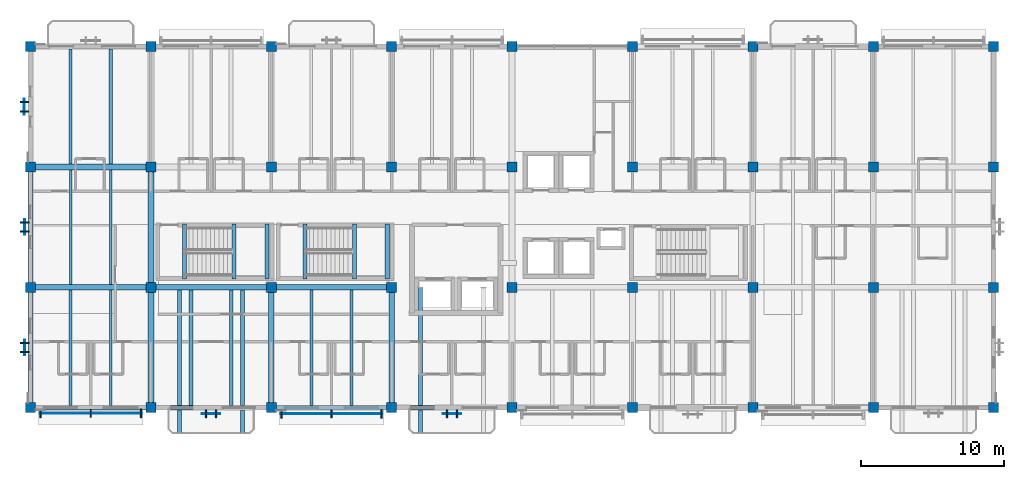
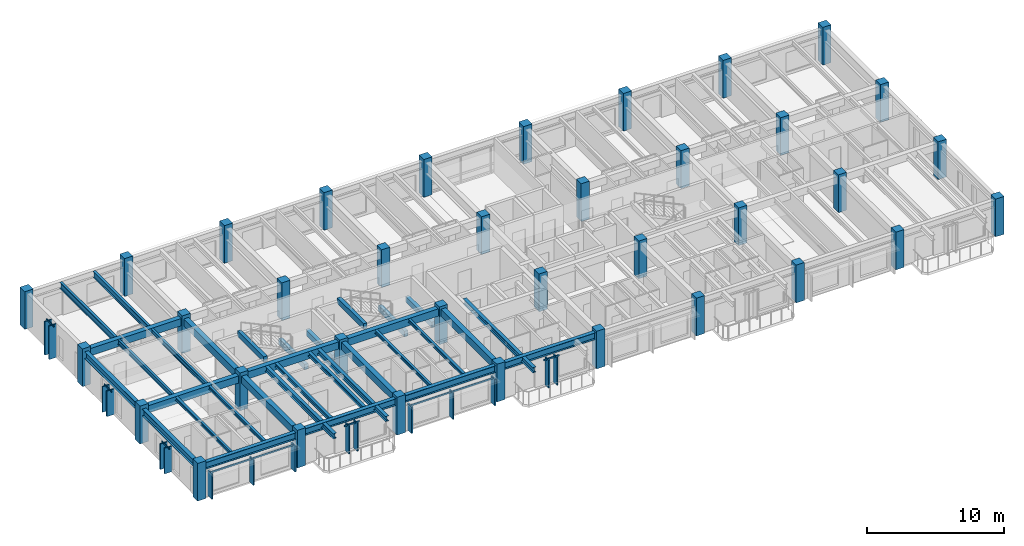
# One storey, part 1 of 18: 36 columns, 33 beams, 23 members, 7 elements without a shape of their own.
"""IFC4 building model written with IfcOpenShell, lengths in metres."""

from ifc_helpers import new_model, si_unit, direction, frame, origin, origin_2d, place, context, subcontext, project, spatial, rectangle, i_section, extrude, material, material_profile, profile_set, type_object, element, aggregate, save


model = new_model("IFC4")

# Units and contexts
model_context = context("Model", 3, precision=1e-05, world=origin(), true_north=direction((0.0, 1.0)))
body_context = subcontext(model_context, "Body", "Model", "MODEL_VIEW")
ifc_project = project(units=[si_unit("LENGTHUNIT", "METRE"), si_unit("AREAUNIT", "SQUARE_METRE"), si_unit("VOLUMEUNIT", "CUBIC_METRE"), si_unit("PLANEANGLEUNIT", "RADIAN"), si_unit("MASSUNIT", "GRAM", prefix="KILO")], contexts=[model_context])

# Site, building, storey
site_placement = place(None, origin())
site = spatial("IfcSite", under=ifc_project, at=site_placement, CompositionType="ELEMENT")
building_placement = place(site_placement, origin())
building = spatial("IfcBuilding", under=site, at=building_placement, Name="Cumbredor Promenade Congress Hotel", CompositionType="ELEMENT")
storey_placement = place(building_placement, frame((0.0, 0.0, 25.199951171875)))
storey = spatial("IfcBuildingStorey", under=building, at=storey_placement, Name="L07", CompositionType="ELEMENT", Elevation=25.199951171875)

# Columns
ifc_material_1 = material(Name="Concrete C40/50", Category="concrete")
ifc_material_profile_1 = material_profile(ifc_material_1, rectangle(XDim=0.699951171875, YDim=0.699951171875, at=origin_2d()), Name="RC 700x700")
ifc_profile_set_1 = profile_set([ifc_material_profile_1], Name="Concrete C40/50")
column_type = type_object("IfcColumnType", Name="COL-RC-700", PredefinedType="COLUMN", material=ifc_profile_set_1)
for number, where, z_axis, x_axis, name in (
    (1, (0.0, 92.39990234375, 0.0), (0.0, 0.0, 1.0), (1.0, 0.0, 0.0), "L07 Structural Column 001"),
    (2, (0.0, 100.800048828125, 0.0), (0.0, 0.0, 1.0), (1.0, 0.0, 0.0), "L07 Structural Column 002"),
    (3, (0.0, 109.199951171875, 0.0), (0.0, 0.0, 1.0), (1.0, 0.0, 0.0), "L07 Structural Column 003"),
    (4, (0.0, 117.60009765625, 0.0), (0.0, 0.0, 1.0), (1.0, 0.0, 0.0), "L07 Structural Column 004"),
    (5, (8.39990234375, 92.39990234375, 0.0), (0.0, 0.0, 1.0), (1.0, 0.0, 0.0), "L07 Structural Column 005"),
    (6, (8.39990234375, 100.800048828125, 0.0), (0.0, 0.0, 1.0), (1.0, 0.0, 0.0), "L07 Structural Column 006"),
    (7, (8.39990234375, 109.199951171875, 0.0), (0.0, 0.0, 1.0), (1.0, 0.0, 0.0), "L07 Structural Column 007"),
    (8, (8.39990234375, 117.60009765625, 0.0), (0.0, 0.0, 1.0), (1.0, 0.0, 0.0), "L07 Structural Column 008"),
    (9, (16.800048828125, 92.39990234375, 0.0), (0.0, 0.0, 1.0), (1.0, 0.0, 0.0), "L07 Structural Column 009"),
    (10, (16.800048828125, 100.800048828125, 0.0), (0.0, 0.0, 1.0), (1.0, 0.0, 0.0), "L07 Structural Column 010"),
    (11, (16.800048828125, 109.199951171875, 0.0), (0.0, 0.0, 1.0), (1.0, 0.0, 0.0), "L07 Structural Column 011"),
    (12, (16.800048828125, 117.60009765625, 0.0), (0.0, 0.0, 1.0), (1.0, 0.0, 0.0), "L07 Structural Column 012"),
    (13, (25.199951171875, 92.39990234375, 0.0), (0.0, 0.0, 1.0), (1.0, 0.0, 0.0), "L07 Structural Column 013"),
    (14, (25.199951171875, 100.800048828125, 0.0), (0.0, 0.0, 1.0), (1.0, 0.0, 0.0), "L07 Structural Column 014"),
    (15, (25.199951171875, 109.199951171875, 0.0), (0.0, 0.0, 1.0), (1.0, 0.0, 0.0), "L07 Structural Column 015"),
    (16, (25.199951171875, 117.60009765625, 0.0), (0.0, 0.0, 1.0), (1.0, 0.0, 0.0), "L07 Structural Column 016"),
    (17, (33.60009765625, 92.39990234375, 0.0), (0.0, 0.0, 1.0), (1.0, 0.0, 0.0), "L07 Structural Column 017"),
    (18, (33.60009765625, 100.800048828125, 0.0), (0.0, 0.0, 1.0), (1.0, 0.0, 0.0), "L07 Structural Column 018"),
    (19, (33.60009765625, 109.199951171875, 0.0), (0.0, 0.0, 1.0), (1.0, 0.0, 0.0), "L07 Structural Column 019"),
    (20, (33.60009765625, 117.60009765625, 0.0), (0.0, 0.0, 1.0), (1.0, 0.0, 0.0), "L07 Structural Column 020"),
    (21, (42.0, 92.39990234375, 0.0), (0.0, 0.0, 1.0), (1.0, 0.0, 0.0), "L07 Structural Column 021"),
    (22, (42.0, 100.800048828125, 0.0), (0.0, 0.0, 1.0), (1.0, 0.0, 0.0), "L07 Structural Column 022"),
    (23, (42.0, 109.199951171875, 0.0), (0.0, 0.0, 1.0), (1.0, 0.0, 0.0), "L07 Structural Column 023"),
    (24, (42.0, 117.60009765625, 0.0), (0.0, 0.0, 1.0), (1.0, 0.0, 0.0), "L07 Structural Column 024"),
    (25, (50.39990234375, 92.39990234375, 0.0), (0.0, 0.0, 1.0), (1.0, 0.0, 0.0), "L07 Structural Column 025"),
    (26, (50.39990234375, 100.800048828125, 0.0), (0.0, 0.0, 1.0), (1.0, 0.0, 0.0), "L07 Structural Column 026"),
    (27, (50.39990234375, 109.199951171875, 0.0), (0.0, 0.0, 1.0), (1.0, 0.0, 0.0), "L07 Structural Column 027"),
    (28, (50.39990234375, 117.60009765625, 0.0), (0.0, 0.0, 1.0), (1.0, 0.0, 0.0), "L07 Structural Column 028"),
    (29, (58.800048828125, 92.39990234375, 0.0), (0.0, 0.0, 1.0), (1.0, 0.0, 0.0), "L07 Structural Column 029"),
    (30, (58.800048828125, 100.800048828125, 0.0), (0.0, 0.0, 1.0), (1.0, 0.0, 0.0), "L07 Structural Column 030"),
    (31, (58.800048828125, 109.199951171875, 0.0), (0.0, 0.0, 1.0), (1.0, 0.0, 0.0), "L07 Structural Column 031"),
    (32, (58.800048828125, 117.60009765625, 0.0), (0.0, 0.0, 1.0), (1.0, 0.0, 0.0), "L07 Structural Column 032"),
    (33, (67.199951171875, 92.39990234375, 0.0), (0.0, 0.0, 1.0), (1.0, 0.0, 0.0), "L07 Structural Column 033"),
    (34, (67.199951171875, 100.800048828125, 0.0), (0.0, 0.0, 1.0), (1.0, 0.0, 0.0), "L07 Structural Column 034"),
    (35, (67.199951171875, 109.199951171875, 0.0), (0.0, 0.0, 1.0), (1.0, 0.0, 0.0), "L07 Structural Column 035"),
    (36, (67.199951171875, 117.60009765625, 0.0), (0.0, 0.0, 1.0), (1.0, 0.0, 0.0), "L07 Structural Column 036"),
):
    element("IfcColumn", number, at=place(storey_placement, frame(where, z_axis=z_axis, x_axis=x_axis)), inside=storey, type_object=column_type, Name=name, PredefinedType="COLUMN", context=body_context, shape_type="SweptSolid", body=[
        extrude(rectangle(XDim=0.699951171875, YDim=0.699951171875, at=origin_2d()), origin(), (0.0, 0.0, 1.0), 3.360107421875),
    ])

# Beams
ifc_material_profile_2 = material_profile(ifc_material_1, rectangle(XDim=0.39990234375, YDim=0.64990234375, at=origin_2d()), Name="RC BEAM 400x650")
ifc_profile_set_2 = profile_set([ifc_material_profile_2], Name="Concrete C40/50")
beam_type_1 = type_object("IfcBeamType", Name="BM-RC-400x650", PredefinedType="BEAM", material=ifc_profile_set_2)
for number, where, z_axis, x_axis, name in (
    (37, (0.35009765625, 100.800048828125, 2.715087890625), (1.0, 0.0, 0.0), (0.0, 1.0, 0.0), "L08 X-Grid Beam 003"),
    (38, (0.35009765625, 109.199951171875, 2.715087890625), (1.0, 0.0, 0.0), (0.0, 1.0, 0.0), "L08 X-Grid Beam 005"),
    (39, (8.39990234375, 92.75, 2.715087890625), (0.0, 1.0, 0.0), (-1.0, 0.0, 0.0), "L08 Y-Grid Beam 008"),
    (40, (8.75, 100.800048828125, 2.795166015625), (1.0, 0.0, 0.0), (0.0, 1.0, 0.0), "L08 X-Grid Beam 009"),
):
    element("IfcBeam", number, at=place(storey_placement, frame(where, z_axis=z_axis, x_axis=x_axis)), inside=storey, type_object=beam_type_1, Name=name, PredefinedType="BEAM", context=body_context, shape_type="SweptSolid", body=[
        extrude(rectangle(XDim=0.39990234375, YDim=0.64990234375, at=origin_2d()), origin(), (0.0, 0.0, 1.0), 7.699951171875),
    ])
beam_1_placement = place(storey_placement, frame((8.39990234375, 101.14990234375, 2.715087890625), z_axis=(0.0, 1.0, 0.0), x_axis=(-1.0, 0.0, 0.0)))
element("IfcBeam", 41, at=beam_1_placement, inside=storey, type_object=beam_type_1, Name="L08 Y-Grid Beam 010", PredefinedType="BEAM", context=body_context, shape_type="SweptSolid", body=[
    extrude(rectangle(XDim=0.39990234375, YDim=0.64990234375, at=origin_2d()), origin(), (0.0, 0.0, 1.0), 7.7001953125),
])
beam_2_placement = place(storey_placement, frame((16.800048828125, 92.75, 2.795166015625), z_axis=(0.0, 1.0, 0.0), x_axis=(-1.0, 0.0, 0.0)))
element("IfcBeam", 42, at=beam_2_placement, inside=storey, type_object=beam_type_1, Name="L08 Y-Grid Beam 014", PredefinedType="BEAM", context=body_context, shape_type="SweptSolid", body=[
    extrude(rectangle(XDim=0.39990234375, YDim=0.64990234375, at=origin_2d()), origin(), (0.0, 0.0, 1.0), 7.699951171875),
])
beam_3_placement = place(storey_placement, frame((17.14990234375, 100.800048828125, 2.795166015625), z_axis=(1.0, 0.0, 0.0), x_axis=(0.0, 1.0, 0.0)))
element("IfcBeam", 43, at=beam_3_placement, inside=storey, type_object=beam_type_1, Name="L08 X-Grid Beam 015", PredefinedType="BEAM", context=body_context, shape_type="SweptSolid", body=[
    extrude(rectangle(XDim=0.39990234375, YDim=0.64990234375, at=origin_2d()), origin(), (0.0, 0.0, 1.0), 7.7001953125),
])
beam_4_placement = place(storey_placement, frame((25.199951171875, 92.75, 2.795166015625), z_axis=(0.0, 1.0, 0.0), x_axis=(-1.0, 0.0, 0.0)))
element("IfcBeam", 44, at=beam_4_placement, inside=storey, type_object=beam_type_1, Name="L08 Y-Grid Beam 019", PredefinedType="BEAM", context=body_context, shape_type="SweptSolid", body=[
    extrude(rectangle(XDim=0.39990234375, YDim=0.64990234375, at=origin_2d()), origin(), (0.0, 0.0, 1.0), 7.699951171875),
])
ifc_material_2 = material(Name="Steel ASTM A992 Grade 50", Category="steel")
ifc_material_profile_3 = material_profile(ifc_material_2, i_section(OverallWidth=0.323974609375, OverallDepth=0.611083984375, WebThickness=0.0126953125, FlangeThickness=0.01904296875, at=origin_2d()), Name="W24X104")
ifc_profile_set_3 = profile_set([ifc_material_profile_3], Name="Steel ASTM A992 Grade 50")
beam_type_2 = type_object("IfcBeamType", Name="BM-W24X104", PredefinedType="BEAM", material=ifc_profile_set_3)
for number, where, z_axis, x_axis, name in (
    (45, (0.35009765625, 92.39990234375, 2.734619140625), (1.0, 0.0, 0.0), (0.0, 1.0, 0.0), "L08 X-Grid Beam 001"),
    (46, (8.75, 92.39990234375, 2.814453125), (1.0, 0.0, 0.0), (0.0, 1.0, 0.0), "L08 X-Grid Beam 007"),
):
    element("IfcBeam", number, at=place(storey_placement, frame(where, z_axis=z_axis, x_axis=x_axis)), inside=storey, type_object=beam_type_2, Name=name, PredefinedType="BEAM", context=body_context, shape_type="SweptSolid", body=[
        extrude(i_section(OverallWidth=0.323974609375, OverallDepth=0.611083984375, WebThickness=0.0126953125, FlangeThickness=0.01904296875, at=origin_2d()), origin(), (0.0, 0.0, 1.0), 7.699951171875),
    ])
beam_5_placement = place(storey_placement, frame((17.14990234375, 92.39990234375, 2.814453125), z_axis=(1.0, 0.0, 0.0), x_axis=(0.0, 1.0, 0.0)))
element("IfcBeam", 47, at=beam_5_placement, inside=storey, type_object=beam_type_2, Name="L08 X-Grid Beam 013", PredefinedType="BEAM", context=body_context, shape_type="SweptSolid", body=[
    extrude(i_section(OverallWidth=0.323974609375, OverallDepth=0.611083984375, WebThickness=0.0126953125, FlangeThickness=0.01904296875, at=origin_2d()), origin(), (0.0, 0.0, 1.0), 7.7001953125),
])
beam_6_placement = place(storey_placement, frame((25.550048828125, 92.39990234375, 2.814453125), z_axis=(1.0, 0.0, 0.0), x_axis=(0.0, 1.0, 0.0)))
element("IfcBeam", 48, at=beam_6_placement, inside=storey, type_object=beam_type_2, Name="L08 X-Grid Beam 018", PredefinedType="BEAM", context=body_context, shape_type="SweptSolid", body=[
    extrude(i_section(OverallWidth=0.323974609375, OverallDepth=0.611083984375, WebThickness=0.0126953125, FlangeThickness=0.01904296875, at=origin_2d()), origin(), (0.0, 0.0, 1.0), 7.699951171875),
])

# Curtain wall, member
ifc_material_3 = material(Name="Thermally broken anodized aluminium and low-E glass", Category="aluminium")
curtain_wall_type = type_object("IfcCurtainWallType", Name="Solar Brise-Soleil Screen Assembly CW-07", PredefinedType="NOTDEFINED", material=ifc_material_3)
curtain_wall_1_placement = place(storey_placement, origin())
curtain_wall_1 = element("IfcCurtainWall", 49, at=curtain_wall_1_placement, inside=storey, type_object=curtain_wall_type, Name="L07 Hospitality Brise-Soleil Screen 095", PredefinedType="NOTDEFINED")
ifc_material_4 = material(Name="Thermally broken anodized aluminium", Category="aluminium")
ifc_material_profile_4 = material_profile(ifc_material_4, rectangle(XDim=0.06494140625, YDim=0.1298828125, at=origin_2d()), Name="ALU TRANSOM 65x130")
ifc_profile_set_4 = profile_set([ifc_material_profile_4], Name="Thermally broken anodized aluminium")
member_type_1 = type_object("IfcMemberType", Name="Curtain Wall Transom TR-01", PredefinedType="USERDEFINED", material=ifc_profile_set_4)
member_1_placement = place(storey_placement, frame((0.65087890625, 92.0, 2.234130859375), z_axis=(1.0, 0.0, 0.0), x_axis=(0.0, 1.0, 0.0)))
member_1 = element("IfcMember", 50, at=member_1_placement, type_object=member_type_1, Name="L07 Brise-Soleil Screen Transom 095", ObjectType="TRANSOM", PredefinedType="USERDEFINED", context=body_context, shape_type="SweptSolid", body=[
    extrude(rectangle(XDim=0.06494140625, YDim=0.1298828125, at=origin_2d()), origin(), (0.0, 0.0, 1.0), 7.09814453125),
])

curtain_wall_2_placement = place(storey_placement, origin())
curtain_wall_2 = element("IfcCurtainWall", 51, at=curtain_wall_2_placement, inside=storey, type_object=curtain_wall_type, Name="L07 Veranda Solar Brise-Soleil Screen 985", PredefinedType="NOTDEFINED")
member_2_placement = place(storey_placement, frame((11.949951171875, 91.989990234375, 2.4140625), z_axis=(1.0, 0.0, 0.0), x_axis=(0.0, 1.0, 0.0)))
member_2 = element("IfcMember", 52, at=member_2_placement, type_object=member_type_1, Name="L07 Brise-Soleil Header Tie 0987", ObjectType="TRANSOM", PredefinedType="USERDEFINED", context=body_context, shape_type="SweptSolid", body=[
    extrude(rectangle(XDim=0.06494140625, YDim=0.1298828125, at=origin_2d()), origin(), (0.0, 0.0, 1.0), 1.300048828125),
])

curtain_wall_3_placement = place(storey_placement, origin())
curtain_wall_3 = element("IfcCurtainWall", 53, at=curtain_wall_3_placement, inside=storey, type_object=curtain_wall_type, Name="L07 Hospitality Brise-Soleil Screen 096", PredefinedType="NOTDEFINED")
member_3_placement = place(storey_placement, frame((17.450927734375, 91.9775390625, 2.31396484375), z_axis=(1.0, 0.0, 0.0), x_axis=(0.0, 1.0, 0.0)))
member_3 = element("IfcMember", 54, at=member_3_placement, type_object=member_type_1, Name="L07 Brise-Soleil Screen Transom 096", ObjectType="TRANSOM", PredefinedType="USERDEFINED", context=body_context, shape_type="SweptSolid", body=[
    extrude(rectangle(XDim=0.06494140625, YDim=0.1298828125, at=origin_2d()), origin(), (0.0, 0.0, 1.0), 7.09814453125),
])

curtain_wall_4_placement = place(storey_placement, origin())
curtain_wall_4 = element("IfcCurtainWall", 55, at=curtain_wall_4_placement, inside=storey, type_object=curtain_wall_type, Name="L07 Veranda Solar Brise-Soleil Screen 991", PredefinedType="NOTDEFINED")
member_4_placement = place(storey_placement, frame((28.75, 91.965087890625, 2.4140625), z_axis=(1.0, 0.0, 0.0), x_axis=(0.0, 1.0, 0.0)))
member_4 = element("IfcMember", 56, at=member_4_placement, type_object=member_type_1, Name="L07 Brise-Soleil Header Tie 0993", ObjectType="TRANSOM", PredefinedType="USERDEFINED", context=body_context, shape_type="SweptSolid", body=[
    extrude(rectangle(XDim=0.06494140625, YDim=0.1298828125, at=origin_2d()), origin(), (0.0, 0.0, 1.0), 1.300048828125),
])

curtain_wall_5_placement = place(storey_placement, origin())
curtain_wall_5 = element("IfcCurtainWall", 57, at=curtain_wall_5_placement, inside=storey, type_object=curtain_wall_type, Name="L07 Pier Brise-Soleil Screen 1027", PredefinedType="NOTDEFINED")
member_5_placement = place(storey_placement, frame((-0.39990234375, 96.050048828125, 2.254150390625), z_axis=(0.0, 1.0, 0.0), x_axis=(-1.0, 0.0, 0.0)))
member_5 = element("IfcMember", 58, at=member_5_placement, type_object=member_type_1, Name="L07 Pier Brise-Soleil Header 1029", ObjectType="TRANSOM", PredefinedType="USERDEFINED", context=body_context, shape_type="SweptSolid", body=[
    extrude(rectangle(XDim=0.06494140625, YDim=0.1298828125, at=origin_2d()), origin(), (0.0, 0.0, 1.0), 1.099853515625),
])

curtain_wall_6_placement = place(storey_placement, origin())
curtain_wall_6 = element("IfcCurtainWall", 59, at=curtain_wall_6_placement, inside=storey, type_object=curtain_wall_type, Name="L07 Pier Brise-Soleil Screen 1030", PredefinedType="NOTDEFINED")
member_6_placement = place(storey_placement, frame((-0.409912109375, 104.449951171875, 2.254150390625), z_axis=(0.0, 1.0, 0.0), x_axis=(-1.0, 0.0, 0.0)))
member_6 = element("IfcMember", 60, at=member_6_placement, type_object=member_type_1, Name="L07 Pier Brise-Soleil Header 1032", ObjectType="TRANSOM", PredefinedType="USERDEFINED", context=body_context, shape_type="SweptSolid", body=[
    extrude(rectangle(XDim=0.06494140625, YDim=0.1298828125, at=origin_2d()), origin(), (0.0, 0.0, 1.0), 1.10009765625),
])

curtain_wall_7_placement = place(storey_placement, origin())
curtain_wall_7 = element("IfcCurtainWall", 61, at=curtain_wall_7_placement, inside=storey, type_object=curtain_wall_type, Name="L07 Pier Brise-Soleil Screen 1033", PredefinedType="NOTDEFINED")
member_7_placement = place(storey_placement, frame((-0.422607421875, 112.85009765625, 2.9599609375), z_axis=(0.0, 1.0, 0.0), x_axis=(-1.0, 0.0, 0.0)))
member_7 = element("IfcMember", 62, at=member_7_placement, type_object=member_type_1, Name="L07 Pier Brise-Soleil Header 1035", ObjectType="TRANSOM", PredefinedType="USERDEFINED", context=body_context, shape_type="SweptSolid", body=[
    extrude(rectangle(XDim=0.06494140625, YDim=0.1298828125, at=origin_2d()), origin(), (0.0, 0.0, 1.0), 1.099853515625),
])

# Beams
ifc_material_profile_5 = material_profile(ifc_material_2, i_section(OverallWidth=0.202880859375, OverallDepth=0.302978515625, WebThickness=0.007568359375, FlangeThickness=0.01318359375, at=origin_2d()), Name="W12X40")
ifc_profile_set_5 = profile_set([ifc_material_profile_5], Name="Steel ASTM A992 Grade 50")
beam_type_3 = type_object("IfcBeamType", Name="JST-W12X40", PredefinedType="JOIST", material=ifc_profile_set_5)
for number, where, z_axis, x_axis, name in (
    (63, (2.800048828125, 92.56201171875, 2.888427734375), (0.0, 1.0, 0.0), (-1.0, 0.0, 0.0), "L08 Secondary Floor Joist 0001"),
    (64, (5.60009765625, 92.56201171875, 2.888427734375), (0.0, 1.0, 0.0), (-1.0, 0.0, 0.0), "L08 Secondary Floor Joist 0002"),
    (65, (19.60009765625, 92.56201171875, 2.968505859375), (0.0, 1.0, 0.0), (-1.0, 0.0, 0.0), "L08 Secondary Floor Joist 0011"),
    (66, (22.39990234375, 92.56201171875, 2.968505859375), (0.0, 1.0, 0.0), (-1.0, 0.0, 0.0), "L08 Secondary Floor Joist 0012"),
):
    element("IfcBeam", number, at=place(storey_placement, frame(where, z_axis=z_axis, x_axis=x_axis)), inside=storey, type_object=beam_type_3, Name=name, PredefinedType="JOIST", context=body_context, shape_type="SweptSolid", body=[
        extrude(i_section(OverallWidth=0.202880859375, OverallDepth=0.302978515625, WebThickness=0.007568359375, FlangeThickness=0.01318359375, at=origin_2d()), origin(), (0.0, 0.0, 1.0), 8.0380859375),
    ])
ifc_material_profile_6 = material_profile(ifc_material_2, i_section(OverallWidth=0.2548828125, OverallDepth=0.35693359375, WebThickness=0.010498046875, FlangeThickness=0.018310546875, at=origin_2d()), Name="W14X68")
ifc_profile_set_6 = profile_set([ifc_material_profile_6], Name="Steel ASTM A992 Grade 50")
beam_type_4 = type_object("IfcBeamType", Name="JST-W14X68", PredefinedType="JOIST", material=ifc_profile_set_6)
for number, where, z_axis, x_axis, name in (
    (67, (11.199951171875, 92.56201171875, 2.941650390625), (0.0, 1.0, 0.0), (-1.0, 0.0, 0.0), "L08 Secondary Floor Joist 0007"),
    (68, (14.0, 92.56201171875, 2.941650390625), (0.0, 1.0, 0.0), (-1.0, 0.0, 0.0), "L08 Secondary Floor Joist 0008"),
):
    element("IfcBeam", number, at=place(storey_placement, frame(where, z_axis=z_axis, x_axis=x_axis)), inside=storey, type_object=beam_type_4, Name=name, PredefinedType="JOIST", context=body_context, shape_type="SweptSolid", body=[
        extrude(i_section(OverallWidth=0.2548828125, OverallDepth=0.35693359375, WebThickness=0.010498046875, FlangeThickness=0.018310546875, at=origin_2d()), origin(), (0.0, 0.0, 1.0), 8.0380859375),
    ])
ifc_material_profile_7 = material_profile(ifc_material_2, i_section(OverallWidth=0.180908203125, OverallDepth=0.4169921875, WebThickness=0.010986328125, FlangeThickness=0.018310546875, at=origin_2d()), Name="W16X57")
ifc_profile_set_7 = profile_set([ifc_material_profile_7], Name="Steel ASTM A992 Grade 50")
beam_type_5 = type_object("IfcBeamType", Name="JST-W16X57", PredefinedType="JOIST", material=ifc_profile_set_7)
for number, where, z_axis, x_axis, name in (
    (69, (2.800048828125, 101.0, 2.83154296875), (0.0, 1.0, 0.0), (-1.0, 0.0, 0.0), "L08 Secondary Floor Joist 0003"),
    (70, (5.60009765625, 101.0, 2.83154296875), (0.0, 1.0, 0.0), (-1.0, 0.0, 0.0), "L08 Secondary Floor Joist 0004"),
):
    element("IfcBeam", number, at=place(storey_placement, frame(where, z_axis=z_axis, x_axis=x_axis)), inside=storey, type_object=beam_type_5, Name=name, PredefinedType="JOIST", context=body_context, shape_type="SweptSolid", body=[
        extrude(i_section(OverallWidth=0.180908203125, OverallDepth=0.4169921875, WebThickness=0.010986328125, FlangeThickness=0.018310546875, at=origin_2d()), origin(), (0.0, 0.0, 1.0), 8.0),
    ])
ifc_material_profile_8 = material_profile(ifc_material_2, i_section(OverallWidth=0.280029296875, OverallDepth=0.462890625, WebThickness=0.0107421875, FlangeThickness=0.017333984375, at=origin_2d()), Name="W18X76")
ifc_profile_set_8 = profile_set([ifc_material_profile_8], Name="Steel ASTM A992 Grade 50")
beam_type_6 = type_object("IfcBeamType", Name="JST-W18X76", PredefinedType="JOIST", material=ifc_profile_set_8)
for number, where, z_axis, x_axis, name in (
    (71, (10.39990234375, 90.64990234375, 2.888427734375), (0.0, 1.0, 0.0), (-1.0, 0.0, 0.0), "L08 Balcony Back-Spanned Outrigger Beam 049.1"),
    (72, (14.800048828125, 90.64990234375, 2.888427734375), (0.0, 1.0, 0.0), (-1.0, 0.0, 0.0), "L08 Balcony Back-Spanned Outrigger Beam 049.2"),
    (73, (27.199951171875, 90.64990234375, 2.888427734375), (0.0, 1.0, 0.0), (-1.0, 0.0, 0.0), "L08 Balcony Back-Spanned Outrigger Beam 050.1"),
):
    element("IfcBeam", number, at=place(storey_placement, frame(where, z_axis=z_axis, x_axis=x_axis)), inside=storey, type_object=beam_type_6, Name=name, PredefinedType="JOIST", context=body_context, shape_type="SweptSolid", body=[
        extrude(i_section(OverallWidth=0.280029296875, OverallDepth=0.462890625, WebThickness=0.0107421875, FlangeThickness=0.017333984375, at=origin_2d()), origin(), (0.0, 0.0, 1.0), 10.150146484375),
    ])
ifc_material_profile_9 = material_profile(ifc_material_2, i_section(OverallWidth=0.214111328125, OverallDepth=0.549072265625, WebThickness=0.0146484375, FlangeThickness=0.023681640625, at=origin_2d()), Name="W21X93")
ifc_profile_set_9 = profile_set([ifc_material_profile_9], Name="Steel ASTM A992 Grade 50")
beam_type_7 = type_object("IfcBeamType", Name="JST-W21X93", PredefinedType="JOIST", material=ifc_profile_set_9)
for number, where, z_axis, x_axis, name in (
    (74, (2.800048828125, 109.39990234375, 2.765625), (0.0, 1.0, 0.0), (-1.0, 0.0, 0.0), "L08 Secondary Floor Joist 0005"),
    (75, (5.60009765625, 109.39990234375, 2.765625), (0.0, 1.0, 0.0), (-1.0, 0.0, 0.0), "L08 Secondary Floor Joist 0006"),
):
    element("IfcBeam", number, at=place(storey_placement, frame(where, z_axis=z_axis, x_axis=x_axis)), inside=storey, type_object=beam_type_7, Name=name, PredefinedType="JOIST", context=body_context, shape_type="SweptSolid", body=[
        extrude(i_section(OverallWidth=0.214111328125, OverallDepth=0.549072265625, WebThickness=0.0146484375, FlangeThickness=0.023681640625, at=origin_2d()), origin(), (0.0, 0.0, 1.0), 8.0380859375),
    ])
ifc_material_profile_10 = material_profile(ifc_material_1, rectangle(XDim=0.300048828125, YDim=0.5, at=origin_2d()), Name="RC LINTEL 300x500")
ifc_profile_set_10 = profile_set([ifc_material_profile_10], Name="Concrete C40/50")
beam_type_8 = type_object("IfcBeamType", Name="LN-RC-300x500", PredefinedType="LINTEL", material=ifc_profile_set_10)
for number, where, z_axis, x_axis, name in (
    (76, (16.5, 101.3701171875, 1.22998046875), (0.0, 1.0, 0.0), (-1.0, 0.0, 0.0), "L07 Stair ST-01 Landing Ledger Beam E"),
    (77, (14.199951171875, 101.3701171875, 1.22998046875), (0.0, 1.0, 0.0), (-1.0, 0.0, 0.0), "L07 Stair ST-01 Landing Ledger Beam W"),
    (78, (10.75, 101.3701171875, 3.110107421875), (0.0, 1.0, 0.0), (-1.0, 0.0, 0.0), "L08 Stair ST-01 Well Header Trimmer Beam"),
    (79, (24.89990234375, 101.3701171875, 1.22998046875), (0.0, 1.0, 0.0), (-1.0, 0.0, 0.0), "L07 Stair ST-02 Landing Ledger Beam E"),
    (80, (22.60009765625, 101.3701171875, 1.22998046875), (0.0, 1.0, 0.0), (-1.0, 0.0, 0.0), "L07 Stair ST-02 Landing Ledger Beam W"),
    (81, (19.14990234375, 101.3701171875, 3.110107421875), (0.0, 1.0, 0.0), (-1.0, 0.0, 0.0), "L08 Stair ST-02 Well Header Trimmer Beam"),
):
    element("IfcBeam", number, at=place(storey_placement, frame(where, z_axis=z_axis, x_axis=x_axis)), inside=storey, type_object=beam_type_8, Name=name, PredefinedType="LINTEL", context=body_context, shape_type="SweptSolid", body=[
        extrude(rectangle(XDim=0.300048828125, YDim=0.5, at=origin_2d()), origin(), (0.0, 0.0, 1.0), 3.829833984375),
    ])
ifc_material_profile_11 = material_profile(ifc_material_2, i_section(OverallWidth=0.323974609375, OverallDepth=0.611083984375, WebThickness=0.0126953125, FlangeThickness=0.01904296875, at=origin_2d()), Name="W24X104")
ifc_profile_set_11 = profile_set([ifc_material_profile_11], Name="Steel ASTM A992 Grade 50")
beam_type_9 = type_object("IfcBeamType", Name="SP-W24X104", PredefinedType="SPANDREL", material=ifc_profile_set_11)
beam_7_placement = place(storey_placement, frame((0.0, 92.75, 2.734619140625), z_axis=(0.0, 1.0, 0.0), x_axis=(-1.0, 0.0, 0.0)))
element("IfcBeam", 82, at=beam_7_placement, inside=storey, type_object=beam_type_9, Name="L08 Y-Grid Beam 002", PredefinedType="SPANDREL", context=body_context, shape_type="SweptSolid", body=[
    extrude(i_section(OverallWidth=0.323974609375, OverallDepth=0.611083984375, WebThickness=0.0126953125, FlangeThickness=0.01904296875, at=origin_2d()), origin(), (0.0, 0.0, 1.0), 7.699951171875),
])
beam_8_placement = place(storey_placement, frame((0.0, 101.14990234375, 2.734619140625), z_axis=(0.0, 1.0, 0.0), x_axis=(-1.0, 0.0, 0.0)))
element("IfcBeam", 83, at=beam_8_placement, inside=storey, type_object=beam_type_9, Name="L08 Y-Grid Beam 004", PredefinedType="SPANDREL", context=body_context, shape_type="SweptSolid", body=[
    extrude(i_section(OverallWidth=0.323974609375, OverallDepth=0.611083984375, WebThickness=0.0126953125, FlangeThickness=0.01904296875, at=origin_2d()), origin(), (0.0, 0.0, 1.0), 7.7001953125),
])

# Member
ifc_material_profile_12 = material_profile(ifc_material_4, rectangle(XDim=0.110107421875, YDim=0.6201171875, at=origin_2d()), Name="ARCH FIN 110x620")
ifc_profile_set_12 = profile_set([ifc_material_profile_12], Name="Thermally broken anodized aluminium")
member_type_2 = type_object("IfcMemberType", Name="Vertical Bronze Brise-Soleil Fin BSF-02 110x620", PredefinedType="USERDEFINED", material=ifc_profile_set_12)
member_8_placement = place(storey_placement, frame((0.700927734375, 92.0, 0.02001953125), z_axis=(0.0, 0.0, 1.0), x_axis=(1.0, 0.0, 0.0)))
member_8 = element("IfcMember", 84, at=member_8_placement, type_object=member_type_2, Name="L07 Vertical Brise-Soleil Fin 0982", ObjectType="SOLAR FIN", PredefinedType="USERDEFINED", context=body_context, shape_type="SweptSolid", body=[
    extrude(rectangle(XDim=0.110107421875, YDim=0.6201171875, at=origin_2d()), origin(), (0.0, 0.0, 1.0), 2.27392578125),
])

member_9_placement = place(storey_placement, frame((7.698974609375, 92.0, 0.02001953125), z_axis=(0.0, 0.0, 1.0), x_axis=(1.0, 0.0, 0.0)))
member_9 = element("IfcMember", 85, at=member_9_placement, type_object=member_type_2, Name="L07 Vertical Brise-Soleil Fin 0984", ObjectType="SOLAR FIN", PredefinedType="USERDEFINED", context=body_context, shape_type="SweptSolid", body=[
    extrude(rectangle(XDim=0.110107421875, YDim=0.6201171875, at=origin_2d()), origin(), (0.0, 0.0, 1.0), 2.27392578125),
])

member_10_placement = place(storey_placement, frame((17.5009765625, 91.9775390625, 0.02001953125), z_axis=(0.0, 0.0, 1.0), x_axis=(1.0, 0.0, 0.0)))
member_10 = element("IfcMember", 86, at=member_10_placement, type_object=member_type_2, Name="L07 Vertical Brise-Soleil Fin 0988", ObjectType="SOLAR FIN", PredefinedType="USERDEFINED", context=body_context, shape_type="SweptSolid", body=[
    extrude(rectangle(XDim=0.110107421875, YDim=0.6201171875, at=origin_2d()), origin(), (0.0, 0.0, 1.0), 2.35400390625),
])

member_11_placement = place(storey_placement, frame((24.4990234375, 91.9775390625, 0.02001953125), z_axis=(0.0, 0.0, 1.0), x_axis=(1.0, 0.0, 0.0)))
member_11 = element("IfcMember", 87, at=member_11_placement, type_object=member_type_2, Name="L07 Vertical Brise-Soleil Fin 0990", ObjectType="SOLAR FIN", PredefinedType="USERDEFINED", context=body_context, shape_type="SweptSolid", body=[
    extrude(rectangle(XDim=0.110107421875, YDim=0.6201171875, at=origin_2d()), origin(), (0.0, 0.0, 1.0), 2.35400390625),
])

member_12_placement = place(storey_placement, frame((-0.39990234375, 96.280029296875, 0.02001953125), z_axis=(0.0, 0.0, 1.0), x_axis=(0.0, 1.0, 0.0)))
member_12 = element("IfcMember", 88, at=member_12_placement, type_object=member_type_2, Name="L07 Pier Brise-Soleil Fin 1028", ObjectType="SOLAR FIN", PredefinedType="USERDEFINED", context=body_context, shape_type="SweptSolid", body=[
    extrude(rectangle(XDim=0.110107421875, YDim=0.6201171875, at=origin_2d()), origin(), (0.0, 0.0, 1.0), 2.27392578125),
])

member_13_placement = place(storey_placement, frame((-0.39990234375, 96.919921875, 0.02001953125), z_axis=(0.0, 0.0, 1.0), x_axis=(0.0, 1.0, 0.0)))
member_13 = element("IfcMember", 89, at=member_13_placement, type_object=member_type_2, Name="L07 Pier Brise-Soleil Fin 1029", ObjectType="SOLAR FIN", PredefinedType="USERDEFINED", context=body_context, shape_type="SweptSolid", body=[
    extrude(rectangle(XDim=0.110107421875, YDim=0.6201171875, at=origin_2d()), origin(), (0.0, 0.0, 1.0), 2.27392578125),
])

aggregate(curtain_wall_5, [member_12, member_13, member_5])

member_14_placement = place(storey_placement, frame((-0.409912109375, 104.679931640625, 0.02001953125), z_axis=(0.0, 0.0, 1.0), x_axis=(0.0, 1.0, 0.0)))
member_14 = element("IfcMember", 90, at=member_14_placement, type_object=member_type_2, Name="L07 Pier Brise-Soleil Fin 1031", ObjectType="SOLAR FIN", PredefinedType="USERDEFINED", context=body_context, shape_type="SweptSolid", body=[
    extrude(rectangle(XDim=0.110107421875, YDim=0.6201171875, at=origin_2d()), origin(), (0.0, 0.0, 1.0), 2.27392578125),
])

member_15_placement = place(storey_placement, frame((-0.409912109375, 105.320068359375, 0.02001953125), z_axis=(0.0, 0.0, 1.0), x_axis=(0.0, 1.0, 0.0)))
member_15 = element("IfcMember", 91, at=member_15_placement, type_object=member_type_2, Name="L07 Pier Brise-Soleil Fin 1032", ObjectType="SOLAR FIN", PredefinedType="USERDEFINED", context=body_context, shape_type="SweptSolid", body=[
    extrude(rectangle(XDim=0.110107421875, YDim=0.6201171875, at=origin_2d()), origin(), (0.0, 0.0, 1.0), 2.27392578125),
])

aggregate(curtain_wall_6, [member_14, member_15, member_6])

member_16_placement = place(storey_placement, frame((-0.422607421875, 113.080078125, 0.02001953125), z_axis=(0.0, 0.0, 1.0), x_axis=(0.0, 1.0, 0.0)))
member_16 = element("IfcMember", 92, at=member_16_placement, type_object=member_type_2, Name="L07 Pier Brise-Soleil Fin 1034", ObjectType="SOLAR FIN", PredefinedType="USERDEFINED", context=body_context, shape_type="SweptSolid", body=[
    extrude(rectangle(XDim=0.110107421875, YDim=0.6201171875, at=origin_2d()), origin(), (0.0, 0.0, 1.0), 2.97998046875),
])

member_17_placement = place(storey_placement, frame((-0.422607421875, 113.719970703125, 0.02001953125), z_axis=(0.0, 0.0, 1.0), x_axis=(0.0, 1.0, 0.0)))
member_17 = element("IfcMember", 93, at=member_17_placement, type_object=member_type_2, Name="L07 Pier Brise-Soleil Fin 1035", ObjectType="SOLAR FIN", PredefinedType="USERDEFINED", context=body_context, shape_type="SweptSolid", body=[
    extrude(rectangle(XDim=0.110107421875, YDim=0.6201171875, at=origin_2d()), origin(), (0.0, 0.0, 1.0), 2.97998046875),
])

aggregate(curtain_wall_7, [member_16, member_17, member_7])

ifc_material_5 = material(Name="Kiln-dried tropical hardwood", Category="wood")
ifc_material_profile_13 = material_profile(ifc_material_5, rectangle(XDim=0.090087890625, YDim=0.550048828125, at=origin_2d()), Name="ARCH FIN 90x550")
ifc_profile_set_13 = profile_set([ifc_material_profile_13], Name="Kiln-dried tropical hardwood")
member_type_3 = type_object("IfcMemberType", Name="Vertical Hardwood Brise-Soleil Fin BSF-01 90x550", PredefinedType="USERDEFINED", material=ifc_profile_set_13)
member_18_placement = place(storey_placement, frame((4.199951171875, 92.0, 0.02001953125), z_axis=(0.0, 0.0, 1.0), x_axis=(1.0, 0.0, 0.0)))
member_18 = element("IfcMember", 94, at=member_18_placement, type_object=member_type_3, Name="L07 Vertical Brise-Soleil Fin 0983", ObjectType="SOLAR FIN", PredefinedType="USERDEFINED", context=body_context, shape_type="SweptSolid", body=[
    extrude(rectangle(XDim=0.090087890625, YDim=0.550048828125, at=origin_2d()), origin(), (0.0, 0.0, 1.0), 2.27392578125),
])

aggregate(curtain_wall_1, [member_1, member_8, member_18, member_9])

member_19_placement = place(storey_placement, frame((12.25, 91.989990234375, -0.010009765625), z_axis=(0.0, 0.0, 1.0), x_axis=(1.0, 0.0, 0.0)))
member_19 = element("IfcMember", 95, at=member_19_placement, type_object=member_type_3, Name="L07 Vertical Hardwood Brise-Soleil Fin 0986", ObjectType="SOLAR FIN", PredefinedType="USERDEFINED", context=body_context, shape_type="SweptSolid", body=[
    extrude(rectangle(XDim=0.090087890625, YDim=0.550048828125, at=origin_2d()), origin(), (0.0, 0.0, 1.0), 2.484130859375),
])

member_20_placement = place(storey_placement, frame((12.949951171875, 91.989990234375, -0.010009765625), z_axis=(0.0, 0.0, 1.0), x_axis=(1.0, 0.0, 0.0)))
member_20 = element("IfcMember", 96, at=member_20_placement, type_object=member_type_3, Name="L07 Vertical Hardwood Brise-Soleil Fin 0987", ObjectType="SOLAR FIN", PredefinedType="USERDEFINED", context=body_context, shape_type="SweptSolid", body=[
    extrude(rectangle(XDim=0.090087890625, YDim=0.550048828125, at=origin_2d()), origin(), (0.0, 0.0, 1.0), 2.484130859375),
])

aggregate(curtain_wall_2, [member_19, member_20, member_2])

member_21_placement = place(storey_placement, frame((21.0, 91.9775390625, 0.02001953125), z_axis=(0.0, 0.0, 1.0), x_axis=(1.0, 0.0, 0.0)))
member_21 = element("IfcMember", 97, at=member_21_placement, type_object=member_type_3, Name="L07 Vertical Brise-Soleil Fin 0989", ObjectType="SOLAR FIN", PredefinedType="USERDEFINED", context=body_context, shape_type="SweptSolid", body=[
    extrude(rectangle(XDim=0.090087890625, YDim=0.550048828125, at=origin_2d()), origin(), (0.0, 0.0, 1.0), 2.35400390625),
])

aggregate(curtain_wall_3, [member_3, member_10, member_21, member_11])

member_22_placement = place(storey_placement, frame((29.050048828125, 91.965087890625, -0.010009765625), z_axis=(0.0, 0.0, 1.0), x_axis=(1.0, 0.0, 0.0)))
member_22 = element("IfcMember", 98, at=member_22_placement, type_object=member_type_3, Name="L07 Vertical Hardwood Brise-Soleil Fin 0992", ObjectType="SOLAR FIN", PredefinedType="USERDEFINED", context=body_context, shape_type="SweptSolid", body=[
    extrude(rectangle(XDim=0.090087890625, YDim=0.550048828125, at=origin_2d()), origin(), (0.0, 0.0, 1.0), 2.484130859375),
])

member_23_placement = place(storey_placement, frame((29.75, 91.965087890625, -0.010009765625), z_axis=(0.0, 0.0, 1.0), x_axis=(1.0, 0.0, 0.0)))
member_23 = element("IfcMember", 99, at=member_23_placement, type_object=member_type_3, Name="L07 Vertical Hardwood Brise-Soleil Fin 0993", ObjectType="SOLAR FIN", PredefinedType="USERDEFINED", context=body_context, shape_type="SweptSolid", body=[
    extrude(rectangle(XDim=0.090087890625, YDim=0.550048828125, at=origin_2d()), origin(), (0.0, 0.0, 1.0), 2.484130859375),
])

aggregate(curtain_wall_4, [member_22, member_23, member_4])

save(model, "model.ifc")
